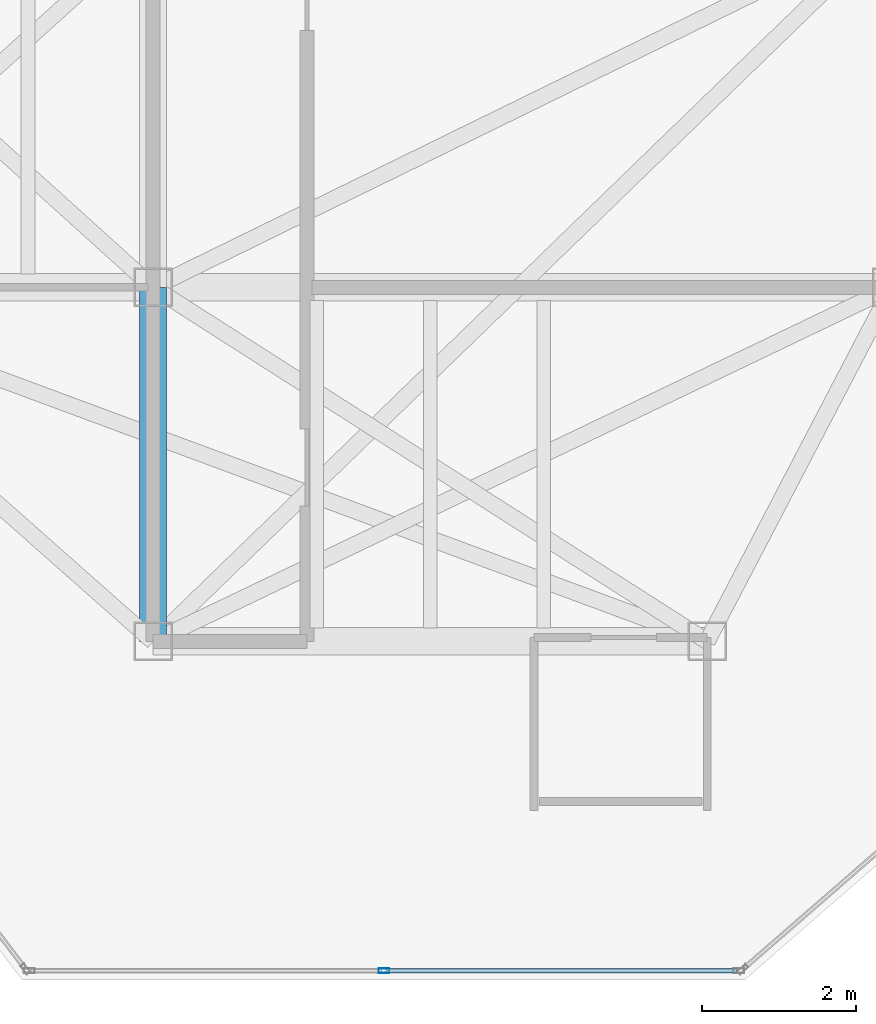
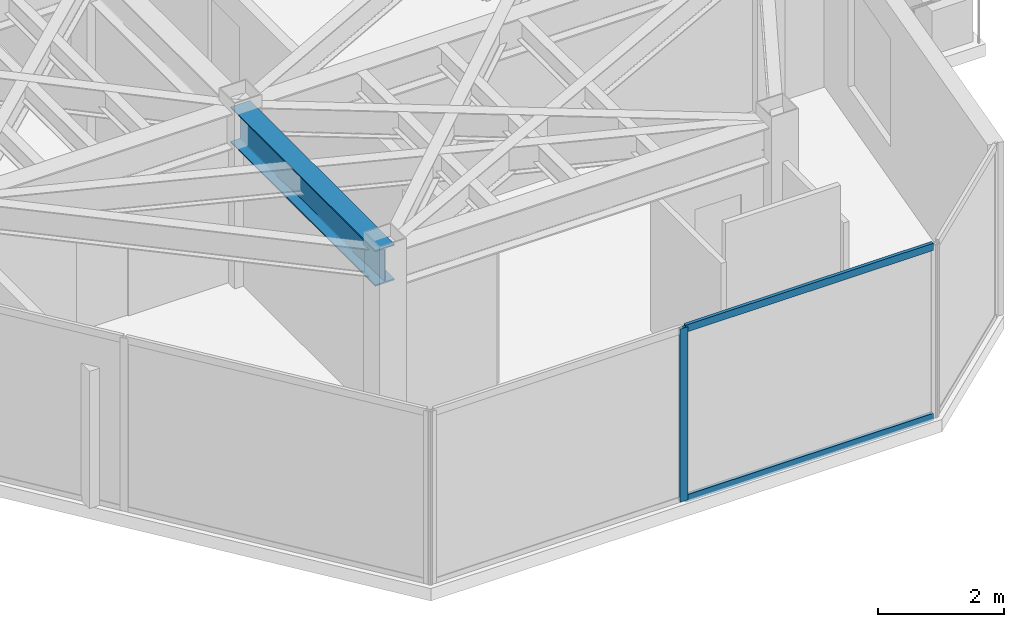
# One storey, part 9 of 17: 3 members, 1 beam, 1 element without a shape of its own.
"""IFC4 building model written with IfcOpenShell, lengths in metres."""

from ifc_helpers import new_model, si_unit, direction, frame, origin, origin_2d, place, context, subcontext, project, spatial, hollow_rectangle, i_section, extrude, material, layer, layer_set, material_profile, profile_set, type_object, element, aggregate, save


model = new_model("IFC4")

# Units and contexts
model_context = context("Model", 3, precision=1e-05, world=origin(), true_north=direction((0.0, 1.0)))
body_context = subcontext(model_context, "Body", "Model", "MODEL_VIEW")
ifc_project = project(units=[si_unit("LENGTHUNIT", "METRE"), si_unit("AREAUNIT", "SQUARE_METRE"), si_unit("VOLUMEUNIT", "CUBIC_METRE"), si_unit("PLANEANGLEUNIT", "RADIAN"), si_unit("MASSUNIT", "GRAM", prefix="KILO")], contexts=[model_context])

# Site, building, storey
site_placement = place(None, origin())
site = spatial("IfcSite", under=ifc_project, at=site_placement, CompositionType="ELEMENT")
building_placement = place(site_placement, origin())
building = spatial("IfcBuilding", under=site, at=building_placement, Name="Kravanh Interchange Tower", CompositionType="ELEMENT")
storey_placement = place(building_placement, frame((0.0, 0.0, 256.199951171875)))
storey = spatial("IfcBuildingStorey", under=building, at=storey_placement, Name="L62", CompositionType="ELEMENT", Elevation=256.199951171875)

# Curtain wall, members
ifc_material_1 = material(Name="Anodised Bronze Aluminium", Category="aluminium")
ifc_layer = layer(ifc_material_1, 0.179931640625)
ifc_layer_set = layer_set([ifc_layer], Name="Unitised Curtain Wall System CW-HTL Luxury Hotel")
curtain_wall_type = type_object("IfcCurtainWallType", Name="Unitised Curtain Wall System CW-HTL Luxury Hotel", PredefinedType="NOTDEFINED", material=ifc_layer_set)
curtain_wall_placement = place(storey_placement, origin())
curtain_wall = element("IfcCurtainWall", 1, at=curtain_wall_placement, inside=storey, type_object=curtain_wall_type, Name="L62 Unitised Curtain Wall CW-L62-02", PredefinedType="NOTDEFINED")
ifc_material_2 = material(Name="Anodised Bronze Aluminium", Category="aluminium")
ifc_material_profile_1 = material_profile(ifc_material_2, hollow_rectangle(XDim=0.06005859375, YDim=0.139892578125, WallThickness=0.00390625, at=origin_2d()), Name="ALU60X140X4")
ifc_profile_set_1 = profile_set([ifc_material_profile_1], Name="Anodised Bronze Aluminium")
member_type_1 = type_object("IfcMemberType", Name="Curtain Wall Mullion ALU60X140X4 Bronze", PredefinedType="MULLION", material=ifc_profile_set_1)
member_1_placement = place(storey_placement, frame((59.0, 17.919921875, 0.0), z_axis=(0.0, 0.0, 1.0), x_axis=(0.0, -1.0, 0.0)))
member_1 = element("IfcMember", 2, at=member_1_placement, type_object=member_type_1, Name="CW-HTL mullion 2", PredefinedType="MULLION", context=body_context, shape_type="SweptSolid", body=[
    extrude(hollow_rectangle(XDim=0.06005859375, YDim=0.139892578125, WallThickness=0.00390625, at=origin_2d()), origin(), (0.0, 0.0, 1.0), 3.360107421875),
])
ifc_material_3 = material(Name="Anodised Bronze Aluminium", Category="aluminium")
ifc_material_profile_2 = material_profile(ifc_material_3, hollow_rectangle(XDim=0.06005859375, YDim=0.139892578125, WallThickness=0.00390625, at=origin_2d()), Name="ALU60X140X4")
ifc_profile_set_2 = profile_set([ifc_material_profile_2], Name="Anodised Bronze Aluminium")
member_type_2 = type_object("IfcMemberType", Name="Curtain Wall Transom ALU60X140X4 Bronze", PredefinedType="USERDEFINED", material=ifc_profile_set_2)
member_2_placement = place(storey_placement, frame((63.58056640625, 17.919921875, 0.030029296875), z_axis=(-1.0, 0.0, 0.0), x_axis=(0.0, -1.0, 0.0)))
member_2 = element("IfcMember", 3, at=member_2_placement, type_object=member_type_2, Name="CW-HTL transom 1.1", ObjectType="TRANSOM", PredefinedType="USERDEFINED", context=body_context, shape_type="SweptSolid", body=[
    extrude(hollow_rectangle(XDim=0.06005859375, YDim=0.139892578125, WallThickness=0.00390625, at=origin_2d()), origin(), (0.0, 0.0, 1.0), 4.550537109375),
])
member_3_placement = place(storey_placement, frame((63.58056640625, 17.919921875, 3.330078125), z_axis=(-1.0, 0.0, 0.0), x_axis=(0.0, -1.0, 0.0)))
member_3 = element("IfcMember", 4, at=member_3_placement, type_object=member_type_2, Name="CW-HTL transom 1.2", ObjectType="TRANSOM", PredefinedType="USERDEFINED", context=body_context, shape_type="SweptSolid", body=[
    extrude(hollow_rectangle(XDim=0.06005859375, YDim=0.139892578125, WallThickness=0.00390625, at=origin_2d()), origin(), (0.0, 0.0, 1.0), 4.550537109375),
])
aggregate(curtain_wall, [member_1, member_2, member_3])

# Beam
ifc_material_4 = material(Name="Structural Steel S355", Category="steel")
ifc_material_profile_3 = material_profile(ifc_material_4, i_section(OverallWidth=0.35498046875, OverallDepth=0.696044921875, WebThickness=0.015380859375, FlangeThickness=0.02490234375, FilletRadius=0.02392578125, at=origin_2d()), Name="W27X146")
ifc_profile_set_3 = profile_set([ifc_material_profile_3], Name="Structural Steel S355")
beam_type = type_object("IfcBeamType", Name="Floor Beam W27X146 Structural Steel S355", PredefinedType="BEAM", material=ifc_profile_set_3)
beam_placement = place(storey_placement, frame((56.0, 26.800048828125, 3.011962890625), z_axis=(0.0, -1.0, 0.0), x_axis=(1.0, 0.0, 0.0)))
element("IfcBeam", 5, at=beam_placement, inside=storey, type_object=beam_type, Name="L62 Primary Floor Girder 34", PredefinedType="BEAM", context=body_context, shape_type="SweptSolid", body=[
    extrude(i_section(OverallWidth=0.35498046875, OverallDepth=0.696044921875, WebThickness=0.015380859375, FlangeThickness=0.02490234375, FilletRadius=0.02392578125, at=origin_2d()), origin(), (0.0, 0.0, 1.0), 4.60009765625),
])

save(model, "model.ifc")
